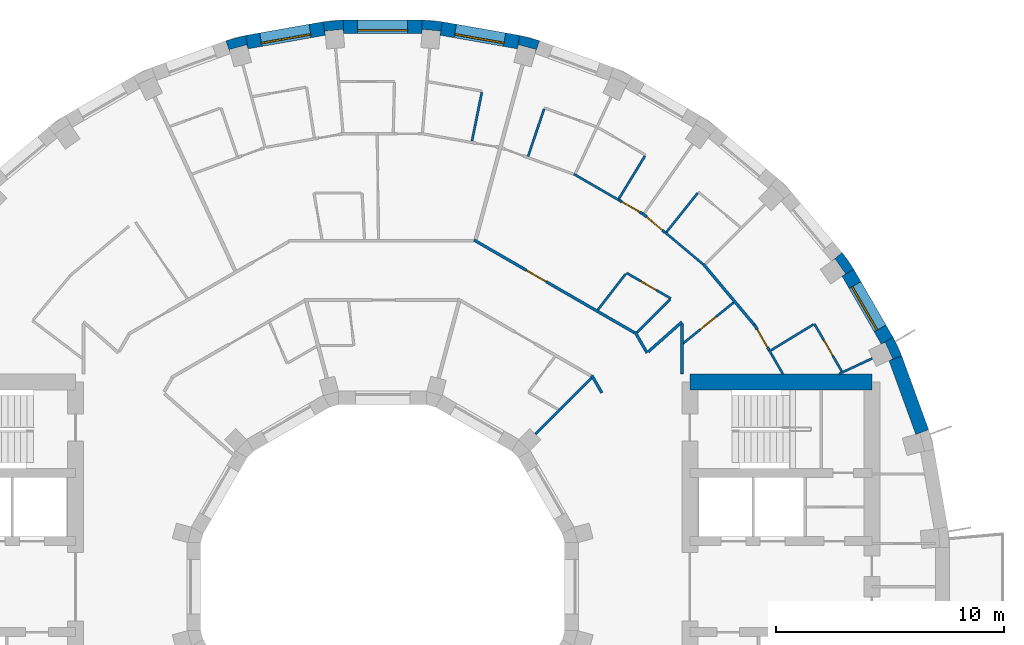
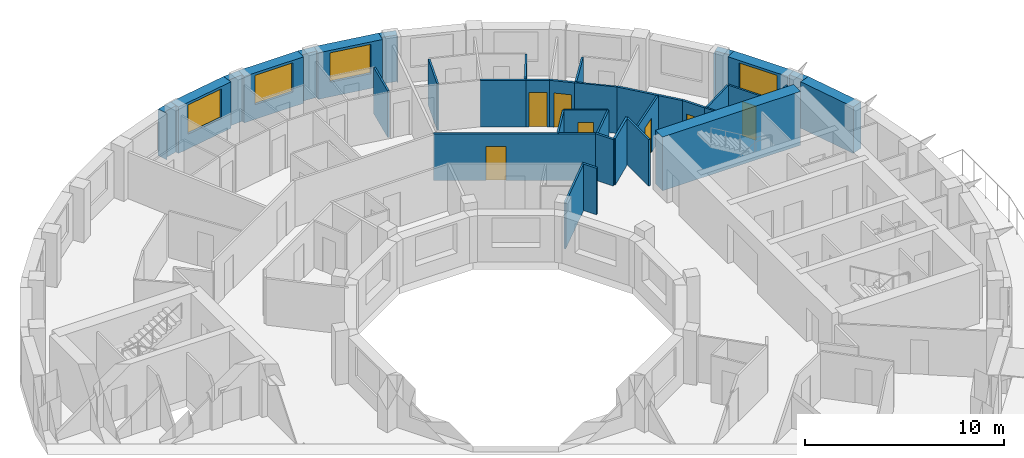
# One storey, part 12 of 14: 36 walls, 7 doors, 4 windows, 11 openings.
"""IFC4 building model written with IfcOpenShell, lengths in metres."""

from ifc_helpers import new_model, si_unit, direction, frame, frame_2d, origin, place, context, subcontext, project, spatial, polyline, rectangle, outline, extrude, material, layer, layer_set, type_object, element, fill, save


model = new_model("IFC4")

# Units and contexts
model_context = context("Model", 3, precision=1e-05, world=origin(), true_north=direction((0.0, 1.0)))
body_context = subcontext(model_context, "Body", "Model", "MODEL_VIEW")
ifc_project = project(units=[si_unit("LENGTHUNIT", "METRE"), si_unit("AREAUNIT", "SQUARE_METRE"), si_unit("VOLUMEUNIT", "CUBIC_METRE"), si_unit("PLANEANGLEUNIT", "RADIAN"), si_unit("MASSUNIT", "GRAM", prefix="KILO")], contexts=[model_context])

# Site, building, storey
site_placement = place(None, origin())
site = spatial("IfcSite", under=ifc_project, at=site_placement, CompositionType="ELEMENT")
building_placement = place(site_placement, origin())
building = spatial("IfcBuilding", under=site, at=building_placement, Name="Saqina Gate Tower", CompositionType="ELEMENT")
storey_placement = place(building_placement, frame((0.0, 0.0, 177.300048828125)))
storey = spatial("IfcBuildingStorey", under=building, at=storey_placement, Name="L50", CompositionType="ELEMENT", Elevation=177.300048828125)

# Walls
ifc_material_1 = material(Name="Brick masonry (buff)", Category="masonry")
wall_type_1 = type_object("IfcWallType", Name="BRICK PIER COPING BUFF", PredefinedType="SOLIDWALL", material=ifc_material_1)
wall_1_placement = place(storey_placement, origin())
element("IfcWall", 1, at=wall_1_placement, inside=storey, type_object=wall_type_1, Name="Pier cap L50 column 3", PredefinedType="SOLIDWALL", context=body_context, shape_type="SweptSolid", body=[
    extrude(outline(polyline([(22.4306640625, 10.958740234375), (21.9111328125, 10.65869140625), (22.080810546875, 10.73779296875), (22.4189453125, 10.0126953125), (22.249267578125, 9.93359375), (22.81298828125, 10.138916015625), (22.4306640625, 10.958740234375)])), origin(), (0.0, 0.0, 1.0), 2.849853515625),
])
wall_2_placement = place(storey_placement, origin())
element("IfcWall", 2, at=wall_2_placement, inside=storey, type_object=wall_type_1, Name="Pier cap L50 column 4", PredefinedType="SOLIDWALL", context=body_context, shape_type="SweptSolid", body=[
    extrude(outline(polyline([(20.705810546875, 13.9462890625), (20.18701171875, 14.687255859375), (19.727294921875, 14.301513671875), (19.880859375, 14.408935546875), (20.339599609375, 13.753662109375), (20.186279296875, 13.646240234375), (20.705810546875, 13.9462890625)])), origin(), (0.0, 0.0, 1.0), 2.849853515625),
])
wall_3_placement = place(storey_placement, origin())
element("IfcWall", 3, at=wall_3_placement, inside=storey, type_object=wall_type_1, Name="Pier cap L50 column 8", PredefinedType="SOLIDWALL", context=body_context, shape_type="SweptSolid", body=[
    extrude(outline(polyline([(6.0234375, 24.22705078125), (5.919189453125, 23.635986328125), (5.967529296875, 23.81689453125), (6.740478515625, 23.610107421875), (6.69189453125, 23.428955078125), (6.897216796875, 23.992919921875), (6.0234375, 24.22705078125)])), origin(), (0.0, 0.0, 1.0), 2.849853515625),
])
wall_4_placement = place(storey_placement, origin())
element("IfcWall", 4, at=wall_4_placement, inside=storey, type_object=wall_type_1, Name="Pier cap L50 column 9", PredefinedType="SOLIDWALL", context=body_context, shape_type="SweptSolid", body=[
    extrude(outline(polyline([(2.6259765625, 24.825927734375), (1.724853515625, 24.90478515625), (1.724853515625, 24.304931640625), (1.7412109375, 24.491455078125), (2.5380859375, 24.421630859375), (2.521728515625, 24.235107421875), (2.6259765625, 24.825927734375)])), origin(), (0.0, 0.0, 1.0), 2.849853515625),
])
wall_5_placement = place(storey_placement, origin())
element("IfcWall", 5, at=wall_5_placement, inside=storey, type_object=wall_type_1, Name="Pier cap L50 column 10", PredefinedType="SOLIDWALL", context=body_context, shape_type="SweptSolid", body=[
    extrude(outline(polyline([(-1.724853515625, 24.90478515625), (-2.6259765625, 24.825927734375), (-2.521728515625, 24.235107421875), (-2.5380859375, 24.421630859375), (-1.7412109375, 24.491455078125), (-1.724853515625, 24.304931640625), (-1.724853515625, 24.90478515625)])), origin(), (0.0, 0.0, 1.0), 2.849853515625),
])
wall_6_placement = place(storey_placement, origin())
element("IfcWall", 6, at=wall_6_placement, inside=storey, type_object=wall_type_1, Name="Pier cap L50 column 11", PredefinedType="SOLIDWALL", context=body_context, shape_type="SweptSolid", body=[
    extrude(outline(polyline([(-6.0234375, 24.22705078125), (-6.897216796875, 23.992919921875), (-6.69189453125, 23.428955078125), (-6.740478515625, 23.610107421875), (-5.967529296875, 23.81689453125), (-5.919189453125, 23.635986328125), (-6.0234375, 24.22705078125)])), origin(), (0.0, 0.0, 1.0), 2.849853515625),
])

# Wall, opening, window
ifc_material_2 = material(Name="Brick masonry (buff)", Category="masonry")
ifc_layer_1 = layer(ifc_material_2, 0.60009765625)
ifc_layer_set_1 = layer_set([ifc_layer_1], Name="FW-BRICK-BUFF")
wall_type_2 = type_object("IfcWallType", Name="FW-BRICK-BUFF", PredefinedType="SOLIDWALL", material=ifc_layer_set_1)
wall_7_placement = place(storey_placement, frame((22.1708984375, 10.80859375, 0.0), z_axis=(0.0, 0.0, 1.0), x_axis=(-0.499998129301, 0.86602648383, 0.0)))
wall_7 = element("IfcWall", 7, at=wall_7_placement, inside=storey, type_object=wall_type_2, Name="Facade wall L50 facet 3", PredefinedType="SOLIDWALL", context=body_context, shape_type="SweptSolid", body=[
    extrude(rectangle(XDim=3.44970703125, YDim=0.60009765625, at=frame_2d((1.724853515625, 0.0))), origin(), (0.0, 0.0, 1.0), 2.849853515625),
])
opening_1_placement = place(wall_7_placement, frame((0.625, 0.0, 0.89990234375)))
opening_1 = element("IfcOpeningElement", 8, at=opening_1_placement, cuts=wall_7, Name="Opening G14-W01", PredefinedType="OPENING", context=body_context, shape_type="SweptSolid", body=[
    extrude(rectangle(XDim=2.199951171875, YDim=1.800048828125, at=frame_2d((1.10009765625, 0.89990234375))), frame((0.0, 0.31201171875, 0.0), z_axis=(0.0, -1.0, 0.0), x_axis=(1.0, 0.0, 0.0)), (0.0, 0.0, 1.0), 0.6240234375),
])
ifc_material_3 = material(Name="Aluminium glazing", Category="aluminium")
window_type = type_object("IfcWindowType", Name="WN-C", PartitioningType="SINGLE_PANEL", PredefinedType="WINDOW", material=ifc_material_3)
window_1_placement = place(opening_1_placement, origin())
window_1 = element("IfcWindow", 9, at=window_1_placement, inside=storey, type_object=window_type, Name="Window L50 facet 3", OverallHeight=1.800048828125, OverallWidth=2.199951171875, PartitioningType="SINGLE_PANEL", PredefinedType="WINDOW", context=body_context, shape_type="SweptSolid", body=[
    extrude(rectangle(XDim=2.199951171875, YDim=1.800048828125, at=frame_2d((1.10009765625, 0.89990234375))), frame((0.0, 0.179931640625, 0.0), z_axis=(0.0, -1.0, 0.0), x_axis=(1.0, 0.0, 0.0)), (0.0, 0.0, 1.0), 0.06005859375),
])
fill(opening_1, window_1)

wall_8_placement = place(storey_placement, frame((5.97119140625, 23.931640625, 0.0), z_axis=(0.0, 0.0, 1.0), x_axis=(-0.984814892183, 0.173607684551, 0.0)))
wall_8 = element("IfcWall", 10, at=wall_8_placement, inside=storey, type_object=wall_type_2, Name="Facade wall L50 facet 8", PredefinedType="SOLIDWALL", context=body_context, shape_type="SweptSolid", body=[
    extrude(rectangle(XDim=3.44970703125, YDim=0.60009765625, at=frame_2d((1.724853515625, 0.0))), origin(), (0.0, 0.0, 1.0), 2.849853515625),
])
opening_2_placement = place(wall_8_placement, frame((0.625, 0.0, 0.89990234375)))
opening_2 = element("IfcOpeningElement", 11, at=opening_2_placement, cuts=wall_8, Name="Opening G14-W06", PredefinedType="OPENING", context=body_context, shape_type="SweptSolid", body=[
    extrude(rectangle(XDim=2.199951171875, YDim=1.800048828125, at=frame_2d((1.10009765625, 0.89990234375))), frame((0.0, 0.31201171875, 0.0), z_axis=(0.0, -1.0, 0.0), x_axis=(1.0, 0.0, 0.0)), (0.0, 0.0, 1.0), 0.6240234375),
])
window_2_placement = place(opening_2_placement, origin())
window_2 = element("IfcWindow", 12, at=window_2_placement, inside=storey, type_object=window_type, Name="Window L50 facet 8", OverallHeight=1.800048828125, OverallWidth=2.199951171875, PartitioningType="SINGLE_PANEL", PredefinedType="WINDOW", context=body_context, shape_type="SweptSolid", body=[
    extrude(rectangle(XDim=2.199951171875, YDim=1.800048828125, at=frame_2d((1.10009765625, 0.89990234375))), frame((0.0, 0.179931640625, 0.0), z_axis=(0.0, -1.0, 0.0), x_axis=(1.0, 0.0, 0.0)), (0.0, 0.0, 1.0), 0.06005859375),
])
fill(opening_2, window_2)

wall_9_placement = place(storey_placement, frame((1.724853515625, 24.60498046875, 0.0), z_axis=(0.0, 0.0, 1.0), x_axis=(-1.0, 0.0, 0.0)))
wall_9 = element("IfcWall", 13, at=wall_9_placement, inside=storey, type_object=wall_type_2, Name="Facade wall L50 facet 9", PredefinedType="SOLIDWALL", context=body_context, shape_type="SweptSolid", body=[
    extrude(rectangle(XDim=3.44970703125, YDim=0.60009765625, at=frame_2d((1.724853515625, 0.0))), origin(), (0.0, 0.0, 1.0), 2.849853515625),
])
opening_3_placement = place(wall_9_placement, frame((0.625, 0.0, 0.89990234375)))
opening_3 = element("IfcOpeningElement", 14, at=opening_3_placement, cuts=wall_9, Name="Opening G14-W07", PredefinedType="OPENING", context=body_context, shape_type="SweptSolid", body=[
    extrude(rectangle(XDim=2.199951171875, YDim=1.800048828125, at=frame_2d((1.10009765625, 0.89990234375))), frame((0.0, 0.31201171875, 0.0), z_axis=(0.0, -1.0, 0.0), x_axis=(1.0, 0.0, 0.0)), (0.0, 0.0, 1.0), 0.6240234375),
])
window_3_placement = place(opening_3_placement, origin())
window_3 = element("IfcWindow", 15, at=window_3_placement, inside=storey, type_object=window_type, Name="Window L50 facet 9", OverallHeight=1.800048828125, OverallWidth=2.199951171875, PartitioningType="SINGLE_PANEL", PredefinedType="WINDOW", context=body_context, shape_type="SweptSolid", body=[
    extrude(rectangle(XDim=2.199951171875, YDim=1.800048828125, at=frame_2d((1.10009765625, 0.89990234375))), frame((0.0, 0.179931640625, 0.0), z_axis=(0.0, -1.0, 0.0), x_axis=(1.0, 0.0, 0.0)), (0.0, 0.0, 1.0), 0.06005859375),
])
fill(opening_3, window_3)

wall_10_placement = place(storey_placement, frame((-2.573974609375, 24.530517578125, 0.0), z_axis=(0.0, 0.0, 1.0), x_axis=(-0.984814892183, -0.173607684551, 0.0)))
wall_10 = element("IfcWall", 16, at=wall_10_placement, inside=storey, type_object=wall_type_2, Name="Facade wall L50 facet 10", PredefinedType="SOLIDWALL", context=body_context, shape_type="SweptSolid", body=[
    extrude(rectangle(XDim=3.44970703125, YDim=0.60009765625, at=frame_2d((1.724853515625, 0.0))), origin(), (0.0, 0.0, 1.0), 2.849853515625),
])
opening_4_placement = place(wall_10_placement, frame((0.625, 0.0, 0.89990234375)))
opening_4 = element("IfcOpeningElement", 17, at=opening_4_placement, cuts=wall_10, Name="Opening G14-W08", PredefinedType="OPENING", context=body_context, shape_type="SweptSolid", body=[
    extrude(rectangle(XDim=2.199951171875, YDim=1.800048828125, at=frame_2d((1.10009765625, 0.89990234375))), frame((0.0, 0.31201171875, 0.0), z_axis=(0.0, -1.0, 0.0), x_axis=(1.0, 0.0, 0.0)), (0.0, 0.0, 1.0), 0.6240234375),
])
window_4_placement = place(opening_4_placement, origin())
window_4 = element("IfcWindow", 18, at=window_4_placement, inside=storey, type_object=window_type, Name="Window L50 facet 10", OverallHeight=1.800048828125, OverallWidth=2.199951171875, PartitioningType="SINGLE_PANEL", PredefinedType="WINDOW", context=body_context, shape_type="SweptSolid", body=[
    extrude(rectangle(XDim=2.199951171875, YDim=1.800048828125, at=frame_2d((1.10009765625, 0.89990234375))), frame((0.0, 0.179931640625, 0.0), z_axis=(0.0, -1.0, 0.0), x_axis=(1.0, 0.0, 0.0)), (0.0, 0.0, 1.0), 0.06005859375),
])
fill(opening_4, window_4)

# Walls
ifc_material_4 = material(Name="Glazed ceramic tile (white)", Category="ceramic")
ifc_layer_2 = layer(ifc_material_4, 0.60009765625)
ifc_layer_set_2 = layer_set([ifc_layer_2], Name="FW-TILE-WH")
wall_type_3 = type_object("IfcWallType", Name="FW-TILE-WH", PredefinedType="SOLIDWALL", material=ifc_layer_set_2)
wall_11_placement = place(storey_placement, frame((23.7109375, 6.79443359375, 0.0), z_axis=(0.0, 0.0, 1.0), x_axis=(-0.342032843455, 0.93968799822, 0.0)))
element("IfcWall", 19, at=wall_11_placement, inside=storey, type_object=wall_type_3, Name="Facade wall L50 facet 2", PredefinedType="SOLIDWALL", context=body_context, shape_type="SweptSolid", body=[
    extrude(rectangle(XDim=3.44970703125, YDim=0.60009765625, at=frame_2d((1.724853515625, 0.0))), origin(), (0.0, 0.0, 1.0), 2.849853515625),
])
ifc_material_5 = material(Name="Gypsum board on steel studs, 100 mm", Category="steel")
ifc_layer_3 = layer(ifc_material_5, 0.10009765625)
ifc_layer_set_3 = layer_set([ifc_layer_3], Name="PARTITION 100")
wall_type_4 = type_object("IfcWallType", Name="PARTITION 100", PredefinedType="PARTITIONING", material=ifc_layer_set_3)
wall_12_placement = place(storey_placement, frame((16.9814453125, 10.397216796875, 0.0), z_axis=(0.0, 0.0, 1.0), x_axis=(0.499961335607, -0.866047725532, 0.0)))
element("IfcWall", 20, at=wall_12_placement, inside=storey, type_object=wall_type_4, Name="PARTITION PW3-22", PredefinedType="PARTITIONING", context=body_context, shape_type="SweptSolid", body=[
    extrude(rectangle(XDim=1.208984375, YDim=0.10009765625, at=frame_2d((0.6044921875, 0.0))), origin(), (0.0, 0.0, 1.0), 2.849853515625),
])

# Wall, opening, door
wall_13_placement = place(storey_placement, frame((18.971923828125, 11.550048828125, 0.0), z_axis=(0.0, 0.0, 1.0), x_axis=(0.499628829129, -0.866239593359, 0.0)))
wall_13 = element("IfcWall", 21, at=wall_13_placement, inside=storey, type_object=wall_type_4, Name="PARTITION PW3-23", PredefinedType="PARTITIONING", context=body_context, shape_type="SweptSolid", body=[
    extrude(rectangle(XDim=2.407958984375, YDim=0.10009765625, at=frame_2d((1.2041015625, 0.0))), origin(), (0.0, 0.0, 1.0), 2.849853515625),
])
opening_5_placement = place(wall_13_placement, frame((0.830078125, 0.0, 0.0)))
opening_5 = element("IfcOpeningElement", 22, at=opening_5_placement, cuts=wall_13, Name="Opening G14-D01", PredefinedType="OPENING", context=body_context, shape_type="SweptSolid", body=[
    extrude(rectangle(XDim=0.800048828125, YDim=2.10009765625, at=frame_2d((0.39990234375, 1.050048828125))), frame((0.0, 0.06201171875, 0.0), z_axis=(0.0, -1.0, 0.0), x_axis=(1.0, 0.0, 0.0)), (0.0, 0.0, 1.0), 0.1240234375),
])
ifc_material_6 = material(Name="Timber door leaf, 800 mm", Category="wood")
door_type_1 = type_object("IfcDoorType", Name="DOOR 800 TIMBER", OperationType="SINGLE_SWING_LEFT", PredefinedType="DOOR", material=ifc_material_6)
door_1_placement = place(opening_5_placement, origin())
door_1 = element("IfcDoor", 23, at=door_1_placement, inside=storey, type_object=door_type_1, Name="DOOR G14-D01", OperationType="SINGLE_SWING_RIGHT", OverallHeight=2.10009765625, OverallWidth=0.800048828125, PredefinedType="DOOR", context=body_context, shape_type="SweptSolid", body=[
    extrude(rectangle(XDim=0.800048828125, YDim=2.10009765625, at=frame_2d((0.39990234375, 1.050048828125))), frame((0.0, 0.02490234375, 0.0), z_axis=(0.0, -1.0, 0.0), x_axis=(1.0, 0.0, 0.0)), (0.0, 0.0, 1.0), 0.050048828125),
])
fill(opening_5, door_1)

# Walls
wall_14_placement = place(storey_placement, frame((12.4013671875, 15.577880859375, 0.0), z_axis=(0.0, 0.0, 1.0), x_axis=(0.766209231034, -0.642591171958, 0.0)))
element("IfcWall", 24, at=wall_14_placement, inside=storey, type_object=wall_type_4, Name="PARTITION PW3-30", PredefinedType="PARTITIONING", context=body_context, shape_type="SweptSolid", body=[
    extrude(rectangle(XDim=2.192138671875, YDim=0.10009765625, at=frame_2d((1.09619140625, 0.0))), origin(), (0.0, 0.0, 1.0), 2.849853515625),
])
wall_15_placement = place(storey_placement, frame((8.400146484375, 18.134521484375, 0.0), z_axis=(0.0, 0.0, 1.0), x_axis=(0.86526186487, -0.501320162373, 0.0)))
element("IfcWall", 25, at=wall_15_placement, inside=storey, type_object=wall_type_4, Name="PARTITION PW3-35", PredefinedType="PARTITIONING", context=body_context, shape_type="SweptSolid", body=[
    extrude(rectangle(XDim=2.304931640625, YDim=0.10009765625, at=frame_2d((1.15234375, 0.0))), origin(), (0.0, 0.0, 1.0), 2.849853515625),
])

# Wall, opening, door
wall_16_placement = place(storey_placement, frame((10.714111328125, 13.7900390625, 0.0), z_axis=(0.0, 0.0, 1.0), x_axis=(0.865992377614, -0.500057198642, 0.0)))
wall_16 = element("IfcWall", 26, at=wall_16_placement, inside=storey, type_object=wall_type_4, Name="PARTITION PW3-40", PredefinedType="PARTITIONING", context=body_context, shape_type="SweptSolid", body=[
    extrude(rectangle(XDim=2.251708984375, YDim=0.10009765625, at=frame_2d((1.1259765625, 0.0))), origin(), (0.0, 0.0, 1.0), 2.849853515625),
])
opening_6_placement = place(wall_16_placement, frame((0.725830078125, 0.0, 0.0)))
opening_6 = element("IfcOpeningElement", 27, at=opening_6_placement, cuts=wall_16, Name="Opening G14-D05", PredefinedType="OPENING", context=body_context, shape_type="SweptSolid", body=[
    extrude(rectangle(XDim=0.800048828125, YDim=2.10009765625, at=frame_2d((0.39990234375, 1.050048828125))), frame((0.0, 0.06201171875, 0.0), z_axis=(0.0, -1.0, 0.0), x_axis=(1.0, 0.0, 0.0)), (0.0, 0.0, 1.0), 0.1240234375),
])
door_2_placement = place(opening_6_placement, origin())
door_2 = element("IfcDoor", 28, at=door_2_placement, inside=storey, type_object=door_type_1, Name="DOOR G14-D05", OperationType="SINGLE_SWING_RIGHT", OverallHeight=2.10009765625, OverallWidth=0.800048828125, PredefinedType="DOOR", context=body_context, shape_type="SweptSolid", body=[
    extrude(rectangle(XDim=0.800048828125, YDim=2.10009765625, at=frame_2d((0.39990234375, 1.050048828125))), frame((0.0, 0.02490234375, 0.0), z_axis=(0.0, -1.0, 0.0), x_axis=(1.0, 0.0, 0.0)), (0.0, 0.0, 1.0), 0.050048828125),
])
fill(opening_6, door_2)

# Walls
wall_17_placement = place(storey_placement, frame((20.051025390625, 9.35009765625, 0.0), z_axis=(0.0, 0.0, 1.0), x_axis=(0.90621401133, 0.42281930617, 0.0)))
element("IfcWall", 29, at=wall_17_placement, inside=storey, type_object=wall_type_4, Name="PARTITION PW3-66", PredefinedType="PARTITIONING", context=body_context, shape_type="SweptSolid", body=[
    extrude(rectangle(XDim=1.6162109375, YDim=0.10009765625, at=frame_2d((0.80810546875, 0.0))), origin(), (0.0, 0.0, 1.0), 2.849853515625),
])
wall_18_placement = place(storey_placement, frame((17.060302734375, 10.385498046875, 0.0), z_axis=(0.0, 0.0, 1.0), x_axis=(0.854045436393, 0.520198416545, 0.0)))
element("IfcWall", 30, at=wall_18_placement, inside=storey, type_object=wall_type_4, Name="PARTITION PW3-72", PredefinedType="PARTITIONING", context=body_context, shape_type="SweptSolid", body=[
    extrude(rectangle(XDim=2.1865234375, YDim=0.10009765625, at=frame_2d((1.09326171875, 0.0))), origin(), (0.0, 0.0, 1.0), 2.849853515625),
])

# Wall, opening, door
wall_19_placement = place(storey_placement, frame((13.198486328125, 10.688232421875, 0.0), z_axis=(0.0, 0.0, 1.0), x_axis=(0.777201155745, 0.629252225669, 0.0)))
wall_19 = element("IfcWall", 31, at=wall_19_placement, inside=storey, type_object=wall_type_4, Name="PARTITION PW3-75", PredefinedType="PARTITIONING", context=body_context, shape_type="SweptSolid", body=[
    extrude(rectangle(XDim=2.861328125, YDim=0.10009765625, at=frame_2d((1.4306640625, 0.0))), origin(), (0.0, 0.0, 1.0), 2.849853515625),
])
opening_7_placement = place(wall_19_placement, frame((0.980712890625, 0.0, 0.0)))
opening_7 = element("IfcOpeningElement", 32, at=opening_7_placement, cuts=wall_19, Name="Opening G14-D03", PredefinedType="OPENING", context=body_context, shape_type="SweptSolid", body=[
    extrude(rectangle(XDim=0.89990234375, YDim=2.10009765625, at=frame_2d((0.449951171875, 1.050048828125))), frame((0.0, 0.06201171875, 0.0), z_axis=(0.0, -1.0, 0.0), x_axis=(1.0, 0.0, 0.0)), (0.0, 0.0, 1.0), 0.1240234375),
])
ifc_material_7 = material(Name="Timber door leaf, 900 mm", Category="wood")
door_type_2 = type_object("IfcDoorType", Name="DOOR 900 TIMBER", OperationType="SINGLE_SWING_LEFT", PredefinedType="DOOR", material=ifc_material_7)
door_3_placement = place(opening_7_placement, origin())
door_3 = element("IfcDoor", 33, at=door_3_placement, inside=storey, type_object=door_type_2, Name="DOOR G14-D03", OperationType="SINGLE_SWING_LEFT", OverallHeight=2.10009765625, OverallWidth=0.89990234375, PredefinedType="DOOR", context=body_context, shape_type="SweptSolid", body=[
    extrude(rectangle(XDim=0.89990234375, YDim=2.10009765625, at=frame_2d((0.449951171875, 1.050048828125))), frame((0.0, 0.02490234375, 0.0), z_axis=(0.0, -1.0, 0.0), x_axis=(1.0, 0.0, 0.0)), (0.0, 0.0, 1.0), 0.050048828125),
])
fill(opening_7, door_3)

# Walls
wall_20_placement = place(storey_placement, frame((6.7119140625, 6.7119140625, 0.0), z_axis=(0.0, 0.0, 1.0), x_axis=(0.707106781187, 0.707106781187, 0.0)))
element("IfcWall", 34, at=wall_20_placement, inside=storey, type_object=wall_type_4, Name="PARTITION PW3-79", PredefinedType="PARTITIONING", context=body_context, shape_type="SweptSolid", body=[
    extrude(rectangle(XDim=3.489990234375, YDim=0.10009765625, at=frame_2d((1.7451171875, 0.0))), origin(), (0.0, 0.0, 1.0), 2.849853515625),
])
wall_21_placement = place(storey_placement, frame((11.171142578125, 11.171142578125, 0.0), z_axis=(0.0, 0.0, 1.0), x_axis=(0.707106781187, 0.707106781187, 0.0)))
element("IfcWall", 35, at=wall_21_placement, inside=storey, type_object=wall_type_4, Name="PARTITION PW3-80", PredefinedType="PARTITIONING", context=body_context, shape_type="SweptSolid", body=[
    extrude(rectangle(XDim=2.061279296875, YDim=0.10009765625, at=frame_2d((1.03076171875, 0.0))), origin(), (0.0, 0.0, 1.0), 2.849853515625),
])
wall_22_placement = place(storey_placement, frame((12.47119140625, 15.5849609375, 0.0), z_axis=(0.0, 0.0, 1.0), x_axis=(0.624722111344, 0.780847157642, 0.0)))
element("IfcWall", 36, at=wall_22_placement, inside=storey, type_object=wall_type_4, Name="PARTITION PW3-85", PredefinedType="PARTITIONING", context=body_context, shape_type="SweptSolid", body=[
    extrude(rectangle(XDim=2.2001953125, YDim=0.10009765625, at=frame_2d((1.10009765625, 0.0))), origin(), (0.0, 0.0, 1.0), 2.849853515625),
])
wall_23_placement = place(storey_placement, frame((9.452392578125, 12.16552734375, 0.0), z_axis=(0.0, 0.0, 1.0), x_axis=(0.613384591442, 0.789784364863, 0.0)))
element("IfcWall", 37, at=wall_23_placement, inside=storey, type_object=wall_type_4, Name="PARTITION PW3-86", PredefinedType="PARTITIONING", context=body_context, shape_type="SweptSolid", body=[
    extrude(rectangle(XDim=2.0068359375, YDim=0.10009765625, at=frame_2d((1.00341796875, 0.0))), origin(), (0.0, 0.0, 1.0), 2.849853515625),
])
wall_24_placement = place(storey_placement, frame((10.37890625, 17.0498046875, 0.0), z_axis=(0.0, 0.0, 1.0), x_axis=(0.520291802012, 0.853988548377, 0.0)))
element("IfcWall", 38, at=wall_24_placement, inside=storey, type_object=wall_type_4, Name="PARTITION PW3-92", PredefinedType="PARTITIONING", context=body_context, shape_type="SweptSolid", body=[
    extrude(rectangle(XDim=2.20068359375, YDim=0.10009765625, at=frame_2d((1.100341796875, 0.0))), origin(), (0.0, 0.0, 1.0), 2.849853515625),
])
wall_25_placement = place(storey_placement, frame((6.388916015625, 18.910400390625, 0.0), z_axis=(0.0, 0.0, 1.0), x_axis=(0.320053851591, 0.947399351953, 0.0)))
element("IfcWall", 39, at=wall_25_placement, inside=storey, type_object=wall_type_4, Name="PARTITION PW3-97", PredefinedType="PARTITIONING", context=body_context, shape_type="SweptSolid", body=[
    extrude(rectangle(XDim=2.199951171875, YDim=0.10009765625, at=frame_2d((1.10009765625, 0.0))), origin(), (0.0, 0.0, 1.0), 2.849853515625),
])
wall_26_placement = place(storey_placement, frame((3.92431640625, 19.583251953125, 0.0), z_axis=(0.0, 0.0, 1.0), x_axis=(0.196888353759, 0.980425915689, 0.0)))
element("IfcWall", 40, at=wall_26_placement, inside=storey, type_object=wall_type_4, Name="PARTITION PW3-99", PredefinedType="PARTITIONING", context=body_context, shape_type="SweptSolid", body=[
    extrude(rectangle(XDim=2.1884765625, YDim=0.10009765625, at=frame_2d((1.09423828125, 0.0))), origin(), (0.0, 0.0, 1.0), 2.849853515625),
])
ifc_material_8 = material(Name="Gypsum board on steel studs, 125 mm, fire rated", Category="steel")
ifc_layer_4 = layer(ifc_material_8, 0.125)
ifc_layer_set_4 = layer_set([ifc_layer_4], Name="PARTITION EI 30 125")
wall_type_5 = type_object("IfcWallType", Name="PARTITION EI 30 125", PredefinedType="PARTITIONING", material=ifc_layer_set_4)
wall_27_placement = place(storey_placement, frame((9.18798828125, 9.28662109375, 0.0), z_axis=(0.0, 0.0, 1.0), x_axis=(0.499403939877, -0.866369265865, 0.0)))
element("IfcWall", 41, at=wall_27_placement, inside=storey, type_object=wall_type_5, Name="PARTITION PW1-04", PredefinedType="PARTITIONING", context=body_context, shape_type="SweptSolid", body=[
    extrude(rectangle(XDim=0.884765625, YDim=0.125, at=frame_2d((0.4423828125, 0.0))), origin(), (0.0, 0.0, 1.0), 2.849853515625),
])
wall_28_placement = place(storey_placement, frame((11.0908203125, 11.189453125, 0.0), z_axis=(0.0, 0.0, 1.0), x_axis=(0.499956751108, -0.866050372104, 0.0)))
element("IfcWall", 42, at=wall_28_placement, inside=storey, type_object=wall_type_5, Name="PARTITION PW1-05", PredefinedType="PARTITIONING", context=body_context, shape_type="SweptSolid", body=[
    extrude(rectangle(XDim=1.05224609375, YDim=0.125, at=frame_2d((0.526123046875, 0.0))), origin(), (0.0, 0.0, 1.0), 2.849853515625),
])

# Wall, opening, door
wall_29_placement = place(storey_placement, frame((16.333984375, 11.518310546875, 0.0), z_axis=(0.0, 0.0, 1.0), x_axis=(0.499972779981, -0.866041118699, 0.0)))
wall_29 = element("IfcWall", 43, at=wall_29_placement, inside=storey, type_object=wall_type_5, Name="PARTITION PW1-06", PredefinedType="PARTITIONING", context=body_context, shape_type="SweptSolid", body=[
    extrude(rectangle(XDim=1.29443359375, YDim=0.125, at=frame_2d((0.647216796875, 0.0))), origin(), (0.0, 0.0, 1.0), 2.849853515625),
])
opening_8_placement = place(wall_29_placement, frame((0.255126953125, 0.0, 0.0)))
opening_8 = element("IfcOpeningElement", 44, at=opening_8_placement, cuts=wall_29, Name="Opening G14-D02", PredefinedType="OPENING", context=body_context, shape_type="SweptSolid", body=[
    extrude(rectangle(XDim=0.89990234375, YDim=2.10009765625, at=frame_2d((0.449951171875, 1.050048828125))), frame((0.0, 0.074462890625, 0.0), z_axis=(0.0, -1.0, 0.0), x_axis=(1.0, 0.0, 0.0)), (0.0, 0.0, 1.0), 0.14892578125),
])
ifc_material_9 = material(Name="Fire door leaf EI 30, 900 mm")
door_type_3 = type_object("IfcDoorType", Name="DOOR 900 EI 30", OperationType="SINGLE_SWING_LEFT", PredefinedType="DOOR", material=ifc_material_9)
door_4_placement = place(opening_8_placement, origin())
door_4 = element("IfcDoor", 45, at=door_4_placement, inside=storey, type_object=door_type_3, Name="DOOR G14-D02", OperationType="SINGLE_SWING_RIGHT", OverallHeight=2.10009765625, OverallWidth=0.89990234375, PredefinedType="DOOR", context=body_context, shape_type="SweptSolid", body=[
    extrude(rectangle(XDim=0.89990234375, YDim=2.10009765625, at=frame_2d((0.449951171875, 1.050048828125))), frame((0.0, 0.02490234375, 0.0), z_axis=(0.0, -1.0, 0.0), x_axis=(1.0, 0.0, 0.0)), (0.0, 0.0, 1.0), 0.050048828125),
])
fill(opening_8, door_4)

# Wall
wall_30_placement = place(storey_placement, frame((14.088134765625, 14.177734375, 0.0), z_axis=(0.0, 0.0, 1.0), x_axis=(0.642836709366, -0.766003240915, 0.0)))
element("IfcWall", 46, at=wall_30_placement, inside=storey, type_object=wall_type_5, Name="PARTITION PW1-09", PredefinedType="PARTITIONING", context=body_context, shape_type="SweptSolid", body=[
    extrude(rectangle(XDim=3.480712890625, YDim=0.125, at=frame_2d((1.740234375, 0.0))), origin(), (0.0, 0.0, 1.0), 2.849853515625),
])

# Wall, opening, door
wall_31_placement = place(storey_placement, frame((11.41259765625, 16.407958984375, 0.0), z_axis=(0.0, 0.0, 1.0), x_axis=(0.763379112729, -0.645950718128, 0.0)))
wall_31 = element("IfcWall", 47, at=wall_31_placement, inside=storey, type_object=wall_type_5, Name="PARTITION PW1-14", PredefinedType="PARTITIONING", context=body_context, shape_type="SweptSolid", body=[
    extrude(rectangle(XDim=1.291015625, YDim=0.125, at=frame_2d((0.6455078125, 0.0))), origin(), (0.0, 0.0, 1.0), 2.849853515625),
])
opening_9_placement = place(wall_31_placement, frame((0.252197265625, 0.0, 0.0)))
opening_9 = element("IfcOpeningElement", 48, at=opening_9_placement, cuts=wall_31, Name="Opening G14-D07", PredefinedType="OPENING", context=body_context, shape_type="SweptSolid", body=[
    extrude(rectangle(XDim=0.89990234375, YDim=2.10009765625, at=frame_2d((0.449951171875, 1.050048828125))), frame((0.0, 0.074462890625, 0.0), z_axis=(0.0, -1.0, 0.0), x_axis=(1.0, 0.0, 0.0)), (0.0, 0.0, 1.0), 0.14892578125),
])
door_5_placement = place(opening_9_placement, frame((0.89990234375, 0.0, 0.0), z_axis=(0.0, 0.0, 1.0), x_axis=(-1.0, 0.0, 0.0)))
door_5 = element("IfcDoor", 49, at=door_5_placement, inside=storey, type_object=door_type_3, Name="DOOR G14-D07", OperationType="SINGLE_SWING_RIGHT", OverallHeight=2.10009765625, OverallWidth=0.89990234375, PredefinedType="DOOR", context=body_context, shape_type="SweptSolid", body=[
    extrude(rectangle(XDim=0.89990234375, YDim=2.10009765625, at=frame_2d((0.449951171875, 1.050048828125))), frame((0.0, 0.02490234375, 0.0), z_axis=(0.0, -1.0, 0.0), x_axis=(1.0, 0.0, 0.0)), (0.0, 0.0, 1.0), 0.050048828125),
])
fill(opening_9, door_5)

wall_32_placement = place(storey_placement, frame((4.010498046875, 15.236083984375, 0.0), z_axis=(0.0, 0.0, 1.0), x_axis=(0.865999621737, -0.500044653157, 0.0)))
wall_32 = element("IfcWall", 50, at=wall_32_placement, inside=storey, type_object=wall_type_5, Name="PARTITION PW1-20", PredefinedType="PARTITIONING", context=body_context, shape_type="SweptSolid", body=[
    extrude(rectangle(XDim=8.155029296875, YDim=0.125, at=frame_2d((4.07763671875, 0.0))), origin(), (0.0, 0.0, 1.0), 2.849853515625),
])
opening_10_placement = place(wall_32_placement, frame((2.656005859375, 0.0, 0.0)))
opening_10 = element("IfcOpeningElement", 51, at=opening_10_placement, cuts=wall_32, Name="Opening G14-D11", PredefinedType="OPENING", context=body_context, shape_type="SweptSolid", body=[
    extrude(rectangle(XDim=1.0, YDim=2.10009765625, at=frame_2d((0.5, 1.050048828125))), frame((0.0, 0.074462890625, 0.0), z_axis=(0.0, -1.0, 0.0), x_axis=(1.0, 0.0, 0.0)), (0.0, 0.0, 1.0), 0.14892578125),
])
ifc_material_10 = material(Name="Fire door leaf EI 30, 1000 mm")
door_type_4 = type_object("IfcDoorType", Name="DOOR 1000 EI 30", OperationType="SINGLE_SWING_LEFT", PredefinedType="DOOR", material=ifc_material_10)
door_6_placement = place(opening_10_placement, origin())
door_6 = element("IfcDoor", 52, at=door_6_placement, inside=storey, type_object=door_type_4, Name="DOOR G14-D11", OperationType="SINGLE_SWING_LEFT", OverallHeight=2.10009765625, OverallWidth=1.0, PredefinedType="DOOR", context=body_context, shape_type="SweptSolid", body=[
    extrude(rectangle(XDim=1.0, YDim=2.10009765625, at=frame_2d((0.5, 1.050048828125))), frame((0.0, 0.02490234375, 0.0), z_axis=(0.0, -1.0, 0.0), x_axis=(1.0, 0.0, 0.0)), (0.0, 0.0, 1.0), 0.050048828125),
])
fill(opening_10, door_6)

wall_33_placement = place(storey_placement, frame((10.396240234375, 16.98193359375, 0.0), z_axis=(0.0, 0.0, 1.0), x_axis=(0.865955664968, -0.500120771724, 0.0)))
wall_33 = element("IfcWall", 53, at=wall_33_placement, inside=storey, type_object=wall_type_5, Name="PARTITION PW1-21", PredefinedType="PARTITIONING", context=body_context, shape_type="SweptSolid", body=[
    extrude(rectangle(XDim=1.167236328125, YDim=0.125, at=frame_2d((0.58349609375, 0.0))), origin(), (0.0, 0.0, 1.0), 2.849853515625),
])
opening_11_placement = place(wall_33_placement, frame((0.139892578125, 0.0, 0.0)))
opening_11 = element("IfcOpeningElement", 54, at=opening_11_placement, cuts=wall_33, Name="Opening G14-D08", PredefinedType="OPENING", context=body_context, shape_type="SweptSolid", body=[
    extrude(rectangle(XDim=0.89990234375, YDim=2.10009765625, at=frame_2d((0.449951171875, 1.050048828125))), frame((0.0, 0.074462890625, 0.0), z_axis=(0.0, -1.0, 0.0), x_axis=(1.0, 0.0, 0.0)), (0.0, 0.0, 1.0), 0.14892578125),
])
door_7_placement = place(opening_11_placement, frame((0.89990234375, 0.0, 0.0), z_axis=(0.0, 0.0, 1.0), x_axis=(-1.0, 0.0, 0.0)))
door_7 = element("IfcDoor", 55, at=door_7_placement, inside=storey, type_object=door_type_3, Name="DOOR G14-D08", OperationType="SINGLE_SWING_LEFT", OverallHeight=2.10009765625, OverallWidth=0.89990234375, PredefinedType="DOOR", context=body_context, shape_type="SweptSolid", body=[
    extrude(rectangle(XDim=0.89990234375, YDim=2.10009765625, at=frame_2d((0.449951171875, 1.050048828125))), frame((0.0, 0.02490234375, 0.0), z_axis=(0.0, -1.0, 0.0), x_axis=(1.0, 0.0, 0.0)), (0.0, 0.0, 1.0), 0.050048828125),
])
fill(opening_11, door_7)

# Walls
wall_34_placement = place(storey_placement, frame((11.663818359375, 10.3193359375, 0.0), z_axis=(0.0, 0.0, 1.0), x_axis=(0.748975424904, 0.662597776098, 0.0)))
element("IfcWall", 56, at=wall_34_placement, inside=storey, type_object=wall_type_5, Name="PARTITION PW1-44", PredefinedType="PARTITIONING", context=body_context, shape_type="SweptSolid", body=[
    extrude(rectangle(XDim=1.984130859375, YDim=0.125, at=frame_2d((0.9921875, 0.0))), origin(), (0.0, 0.0, 1.0), 2.849853515625),
])
wall_35_placement = place(storey_placement, frame((13.14990234375, 9.35009765625, 0.0), z_axis=(0.0, 0.0, 1.0), x_axis=(0.0, 1.0, 0.0)))
element("IfcWall", 57, at=wall_35_placement, inside=storey, type_object=wall_type_5, Name="PARTITION PW1-50", PredefinedType="PARTITIONING", context=body_context, shape_type="SweptSolid", body=[
    extrude(rectangle(XDim=2.221435546875, YDim=0.125, at=frame_2d((1.11083984375, 0.0))), origin(), (0.0, 0.0, 1.0), 2.849853515625),
])
ifc_material_11 = material(Name="Concrete C60/75", Category="concrete")
ifc_layer_5 = layer(ifc_material_11, 0.699951171875)
ifc_layer_set_5 = layer_set([ifc_layer_5], Name="Concrete C60/75")
wall_type_6 = type_object("IfcWallType", Name="STR-CORE WALL-C-O", PredefinedType="SHEAR", material=ifc_layer_set_5)
wall_36_placement = place(storey_placement, frame((13.5, 9.0, 0.0), z_axis=(0.0, 0.0, 1.0), x_axis=(1.0, 0.0, 0.0)))
element("IfcWall", 58, at=wall_36_placement, inside=storey, type_object=wall_type_6, Name="CORE WALL L50 E-NE", PredefinedType="SHEAR", context=body_context, shape_type="SweptSolid", body=[
    extrude(rectangle(XDim=8.0, YDim=0.699951171875, at=frame_2d((4.0, 0.0))), origin(), (0.0, 0.0, 1.0), 3.300048828125),
])

save(model, "model.ifc")
